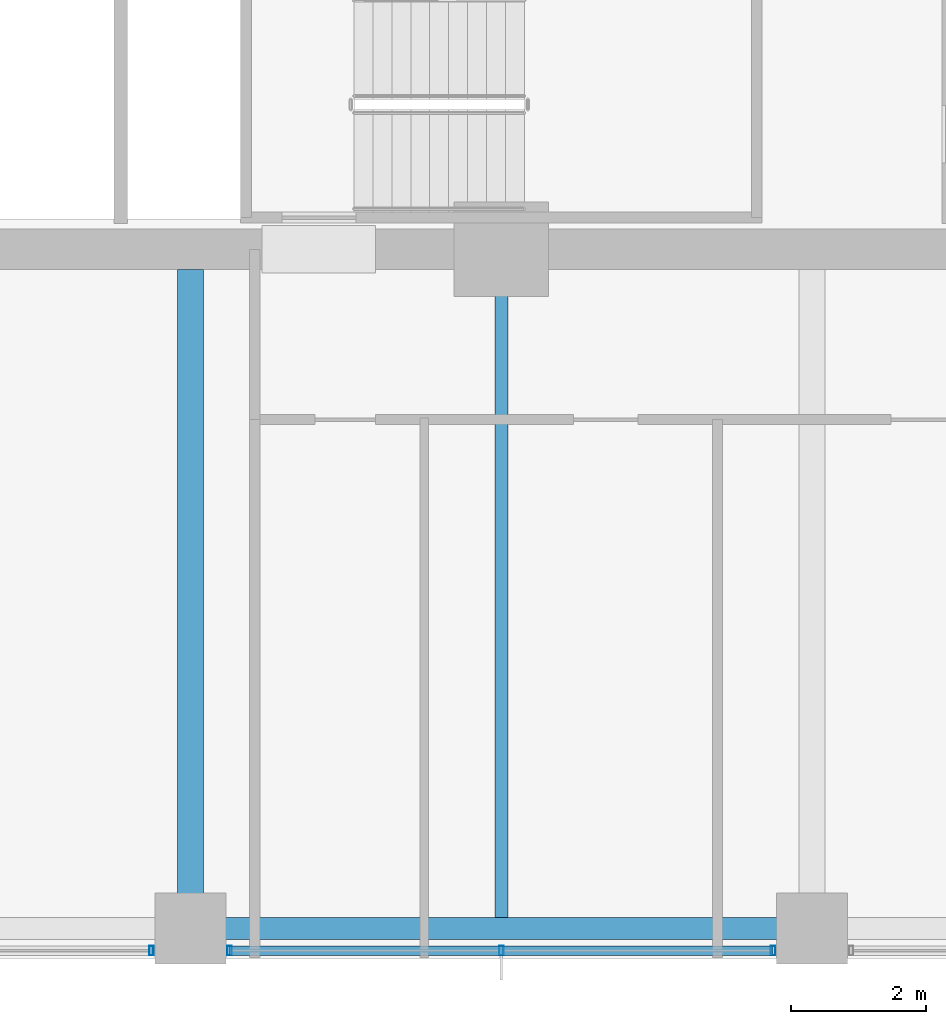
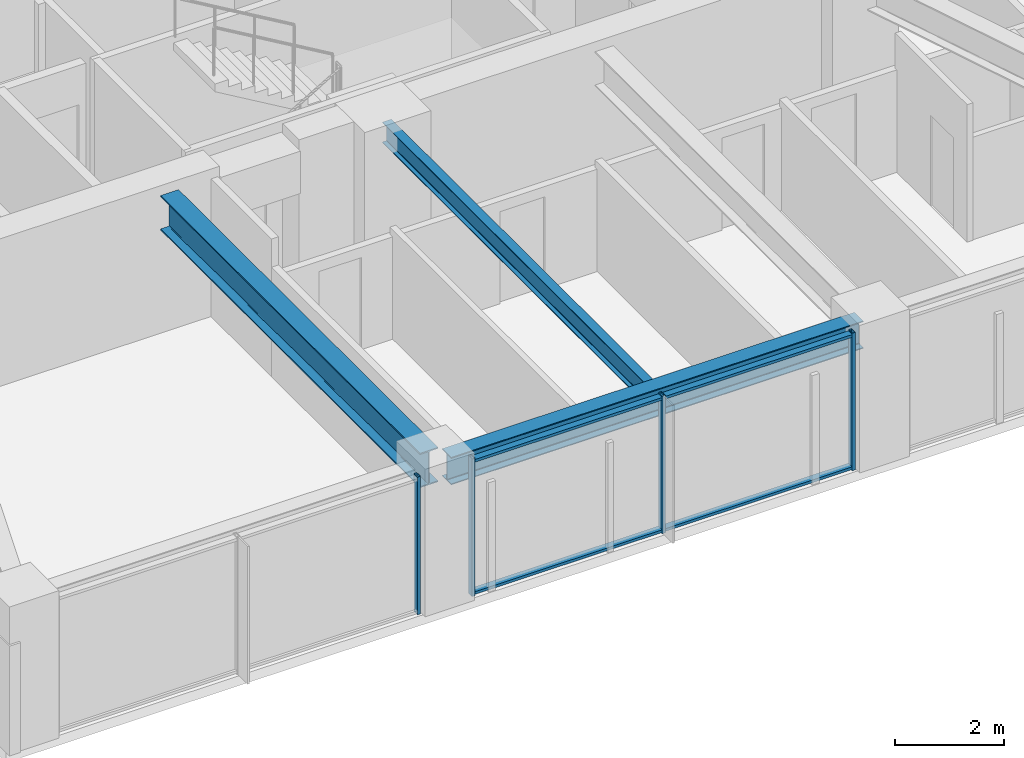
# One storey, part 6 of 36: 6 members, 3 beams, 2 elements without a shape of their own.
"""IFC4 building model written with IfcOpenShell, lengths in metres."""

from ifc_helpers import new_model, si_unit, direction, frame, origin, origin_2d, place, context, subcontext, project, spatial, hollow_rectangle, i_section, extrude, material, material_profile, profile_set, type_object, element, aggregate, save


model = new_model("IFC4")

# Units and contexts
model_context = context("Model", 3, precision=1e-05, world=origin(), true_north=direction((0.0, 1.0)))
body_context = subcontext(model_context, "Body", "Model", "MODEL_VIEW")
ifc_project = project(units=[si_unit("LENGTHUNIT", "METRE"), si_unit("AREAUNIT", "SQUARE_METRE"), si_unit("VOLUMEUNIT", "CUBIC_METRE"), si_unit("PLANEANGLEUNIT", "RADIAN"), si_unit("MASSUNIT", "GRAM", prefix="KILO")], contexts=[model_context])

# Site, building, storey
site_placement = place(None, origin())
site = spatial("IfcSite", under=ifc_project, at=site_placement, CompositionType="ELEMENT")
building_placement = place(site_placement, origin())
building = spatial("IfcBuilding", under=site, at=building_placement, Name="Kolvaren Belvedere", CompositionType="ELEMENT")
storey_placement = place(building_placement, frame((0.0, 0.0, 88.699951171875)))
storey = spatial("IfcBuildingStorey", under=building, at=storey_placement, Name="L25", CompositionType="ELEMENT", Elevation=88.699951171875)

# Beams
ifc_material_1 = material(Name="Structural steel ASTM A992 Grade 50", Category="steel")
ifc_material_profile_1 = material_profile(ifc_material_1, i_section(OverallWidth=0.381103515625, OverallDepth=0.77294921875, WebThickness=0.0166015625, FlangeThickness=0.027099609375, FilletRadius=0.02392578125, at=origin_2d()), Name="W30X173")
ifc_profile_set_1 = profile_set([ifc_material_profile_1], Name="Structural steel ASTM A992 Grade 50")
beam_type_1 = type_object("IfcBeamType", Name="BM-GIRD-W30X173", PredefinedType="BEAM", material=ifc_profile_set_1)
beam_1_placement = place(storey_placement, frame((-4.60009765625, -10.199951171875, 2.693603515625), z_axis=(0.0, -1.0, 0.0), x_axis=(1.0, 0.0, 0.0)))
element("IfcBeam", 1, at=beam_1_placement, inside=storey, type_object=beam_type_1, Name="L25 South Radial Girder M", PredefinedType="BEAM", context=body_context, shape_type="SweptSolid", body=[
    extrude(i_section(OverallWidth=0.381103515625, OverallDepth=0.77294921875, WebThickness=0.0166015625, FlangeThickness=0.027099609375, FilletRadius=0.02392578125, at=origin_2d()), origin(), (0.0, 0.0, 1.0), 9.513916015625),
])
ifc_material_2 = material(Name="Structural steel ASTM A992 Grade 50", Category="steel")
ifc_material_profile_2 = material_profile(ifc_material_2, i_section(OverallWidth=0.19091796875, OverallDepth=0.4599609375, WebThickness=0.010009765625, FlangeThickness=0.01611328125, FilletRadius=0.014892578125, at=origin_2d()), Name="W18X55")
ifc_profile_set_2 = profile_set([ifc_material_profile_2], Name="Structural steel ASTM A992 Grade 50")
beam_type_2 = type_object("IfcBeamType", Name="BM-JOIST-W18X55", PredefinedType="BEAM", material=ifc_profile_set_2)
beam_2_placement = place(storey_placement, frame((0.0, -10.199951171875, 2.85009765625), z_axis=(0.0, -1.0, 0.0), x_axis=(1.0, 0.0, 0.0)))
element("IfcBeam", 2, at=beam_2_placement, inside=storey, type_object=beam_type_2, Name="L25 South Centre Floor Beam", PredefinedType="BEAM", context=body_context, shape_type="SweptSolid", body=[
    extrude(i_section(OverallWidth=0.19091796875, OverallDepth=0.4599609375, WebThickness=0.010009765625, FlangeThickness=0.01611328125, FilletRadius=0.014892578125, at=origin_2d()), origin(), (0.0, 0.0, 1.0), 9.587646484375),
])
ifc_material_3 = material(Name="Structural steel ASTM A992 Grade 50", Category="steel")
ifc_material_profile_3 = material_profile(ifc_material_3, i_section(OverallWidth=0.324951171875, OverallDepth=0.615966796875, WebThickness=0.013916015625, FlangeThickness=0.021484375, FilletRadius=0.02001953125, at=origin_2d()), Name="W24X117")
ifc_profile_set_3 = profile_set([ifc_material_profile_3], Name="Structural steel ASTM A992 Grade 50")
beam_type_3 = type_object("IfcBeamType", Name="BM-SPAN-W24X117", PredefinedType="SPANDREL", material=ifc_profile_set_3)
beam_3_placement = place(storey_placement, frame((-4.36376953125, -19.949951171875, 2.77197265625), z_axis=(1.0, 0.0, 0.0), x_axis=(0.0, 1.0, 0.0)))
element("IfcBeam", 3, at=beam_3_placement, inside=storey, type_object=beam_type_3, Name="L25 Perimeter Spandrel S2-S3", PredefinedType="SPANDREL", context=body_context, shape_type="SweptSolid", body=[
    extrude(i_section(OverallWidth=0.324951171875, OverallDepth=0.615966796875, WebThickness=0.013916015625, FlangeThickness=0.021484375, FilletRadius=0.02001953125, at=origin_2d()), origin(), (0.0, 0.0, 1.0), 8.7275390625),
])

# Curtain wall, members
ifc_material_4 = material(Name="Anodised pale-metal aluminium AA 6063-T6", Category="aluminium")
curtain_wall_type = type_object("IfcCurtainWallType", Name="CW-Z2-MID", PredefinedType="NOTDEFINED", material=ifc_material_4)
curtain_wall_1_placement = place(storey_placement, origin())
curtain_wall_1 = element("IfcCurtainWall", 4, at=curtain_wall_1_placement, inside=storey, type_object=curtain_wall_type, Name="L25 Unitised Curtain Wall FCW-L25-S-B2", PredefinedType="NOTDEFINED")
ifc_material_5 = material(Name="Anodised pale-metal aluminium AA 6063-T6", Category="aluminium")
ifc_material_profile_4 = material_profile(ifc_material_5, hollow_rectangle(XDim=0.06494140625, YDim=0.139892578125, WallThickness=0.00390625, at=origin_2d()), Name="ALU-MUL-140X65")
ifc_profile_set_4 = profile_set([ifc_material_profile_4], Name="Anodised pale-metal aluminium AA 6063-T6")
member_type_1 = type_object("IfcMemberType", Name="CW-MUL-140", PredefinedType="MULLION", material=ifc_profile_set_4)
member_1_placement = place(storey_placement, frame((4.0224609375, -20.280029296875, 0.0), z_axis=(0.0, 0.0, 1.0), x_axis=(1.0, 0.0, 0.0)))
member_1 = element("IfcMember", 5, at=member_1_placement, type_object=member_type_1, Name="FCW-L25-S-B2 Unitised Mullion 1", PredefinedType="MULLION", context=body_context, shape_type="SweptSolid", body=[
    extrude(hollow_rectangle(XDim=0.06494140625, YDim=0.139892578125, WallThickness=0.00390625, at=origin_2d()), origin(), (0.0, 0.0, 1.0), 3.080078125),
])
member_2_placement = place(storey_placement, frame((0.0, -20.280029296875, 0.0), z_axis=(0.0, 0.0, 1.0), x_axis=(1.0, 0.0, 0.0)))
member_2 = element("IfcMember", 6, at=member_2_placement, type_object=member_type_1, Name="FCW-L25-S-B2 Unitised Mullion 2", PredefinedType="MULLION", context=body_context, shape_type="SweptSolid", body=[
    extrude(hollow_rectangle(XDim=0.06494140625, YDim=0.139892578125, WallThickness=0.00390625, at=origin_2d()), origin(), (0.0, 0.0, 1.0), 3.080078125),
])
member_3_placement = place(storey_placement, frame((-4.0224609375, -20.280029296875, 0.0), z_axis=(0.0, 0.0, 1.0), x_axis=(1.0, 0.0, 0.0)))
member_3 = element("IfcMember", 7, at=member_3_placement, type_object=member_type_1, Name="FCW-L25-S-B2 Unitised Mullion 3", PredefinedType="MULLION", context=body_context, shape_type="SweptSolid", body=[
    extrude(hollow_rectangle(XDim=0.06494140625, YDim=0.139892578125, WallThickness=0.00390625, at=origin_2d()), origin(), (0.0, 0.0, 1.0), 3.080078125),
])

# Curtain wall, member
curtain_wall_2_placement = place(storey_placement, origin())
curtain_wall_2 = element("IfcCurtainWall", 8, at=curtain_wall_2_placement, inside=storey, type_object=curtain_wall_type, Name="L25 Unitised Curtain Wall FCW-L25-S-B3", PredefinedType="NOTDEFINED")
member_4_placement = place(storey_placement, frame((-5.177490234375, -20.280029296875, 0.0), z_axis=(0.0, 0.0, 1.0), x_axis=(1.0, 0.0, 0.0)))
member_4 = element("IfcMember", 9, at=member_4_placement, type_object=member_type_1, Name="FCW-L25-S-B3 Unitised Mullion 1", PredefinedType="MULLION", context=body_context, shape_type="SweptSolid", body=[
    extrude(hollow_rectangle(XDim=0.06494140625, YDim=0.139892578125, WallThickness=0.00390625, at=origin_2d()), origin(), (0.0, 0.0, 1.0), 3.080078125),
])
aggregate(curtain_wall_2, [member_4])

# Member
ifc_material_6 = material(Name="Anodised pale-metal aluminium AA 6063-T6", Category="aluminium")
ifc_material_profile_5 = material_profile(ifc_material_6, hollow_rectangle(XDim=0.06005859375, YDim=0.139892578125, WallThickness=0.00390625, at=origin_2d()), Name="ALU-TRN-140X60")
ifc_profile_set_5 = profile_set([ifc_material_profile_5], Name="Anodised pale-metal aluminium AA 6063-T6")
member_type_2 = type_object("IfcMemberType", Name="CW-TRN-140", PredefinedType="USERDEFINED", material=ifc_profile_set_5)
member_5_placement = place(storey_placement, frame((4.0224609375, -20.280029296875, 0.06005859375), z_axis=(-1.0, 0.0, 0.0), x_axis=(0.0, 0.0, 1.0)))
member_5 = element("IfcMember", 10, at=member_5_placement, type_object=member_type_2, Name="FCW-L25-S-B2 Sill Transom", ObjectType="TRANSOM", PredefinedType="USERDEFINED", context=body_context, shape_type="SweptSolid", body=[
    extrude(hollow_rectangle(XDim=0.06005859375, YDim=0.139892578125, WallThickness=0.00390625, at=origin_2d()), origin(), (0.0, 0.0, 1.0), 8.044921875),
])

member_6_placement = place(storey_placement, frame((4.0224609375, -20.280029296875, 3.02001953125), z_axis=(-1.0, 0.0, 0.0), x_axis=(0.0, 0.0, 1.0)))
member_6 = element("IfcMember", 11, at=member_6_placement, type_object=member_type_2, Name="FCW-L25-S-B2 Head Transom", ObjectType="TRANSOM", PredefinedType="USERDEFINED", context=body_context, shape_type="SweptSolid", body=[
    extrude(hollow_rectangle(XDim=0.06005859375, YDim=0.139892578125, WallThickness=0.00390625, at=origin_2d()), origin(), (0.0, 0.0, 1.0), 8.044921875),
])

aggregate(curtain_wall_1, [member_1, member_2, member_3, member_5, member_6])

save(model, "model.ifc")
